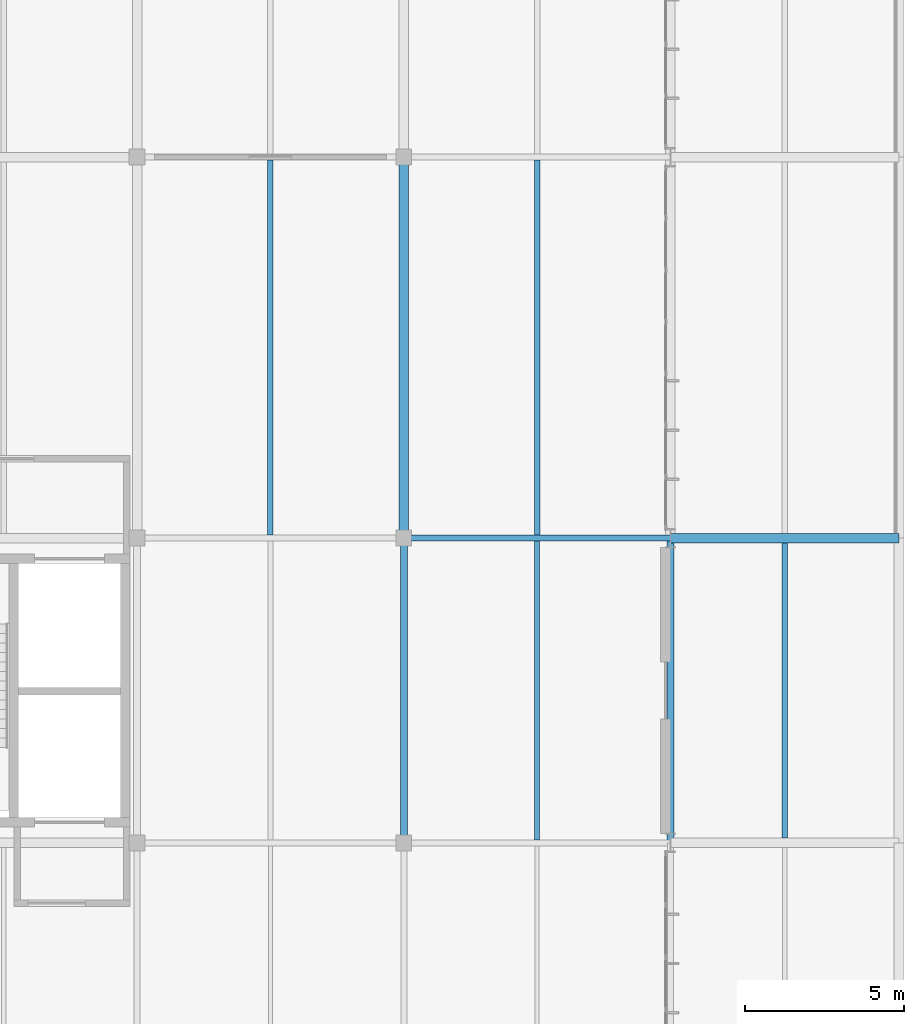
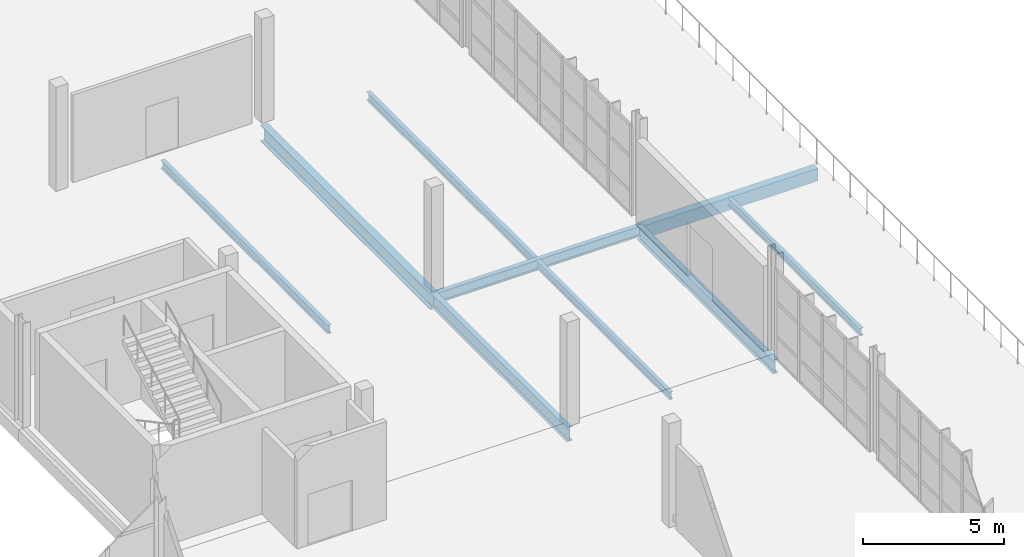
# One storey, part 75 of 109: 9 beams.
"""IFC4 building model written with IfcOpenShell, lengths in metres."""

from ifc_helpers import new_model, si_unit, direction, frame, origin, origin_2d, place, context, subcontext, project, spatial, rectangle, i_section, extrude, material, material_profile, profile_set, type_object, element, save


model = new_model("IFC4")

# Units and contexts
model_context = context("Model", 3, precision=1e-05, world=origin(), true_north=direction((0.0, 1.0)))
body_context = subcontext(model_context, "Body", "Model", "MODEL_VIEW")
ifc_project = project(units=[si_unit("LENGTHUNIT", "METRE"), si_unit("AREAUNIT", "SQUARE_METRE"), si_unit("VOLUMEUNIT", "CUBIC_METRE"), si_unit("PLANEANGLEUNIT", "RADIAN"), si_unit("MASSUNIT", "GRAM", prefix="KILO")], contexts=[model_context])

# Site, building, storey
site_placement = place(None, origin())
site = spatial("IfcSite", under=ifc_project, at=site_placement, CompositionType="ELEMENT")
building_placement = place(site_placement, origin())
building = spatial("IfcBuilding", under=site, at=building_placement, Name="Veltarok Museum of Natural Sciences", CompositionType="ELEMENT")
storey_placement = place(building_placement, frame((0.0, 0.0, 17.39990234375)))
storey = spatial("IfcBuildingStorey", under=building, at=storey_placement, Name="L03", CompositionType="ELEMENT", Elevation=17.39990234375)

# Beams
ifc_material_1 = material(Name="Precast concrete C40/50", Category="concrete")
ifc_material_profile_1 = material_profile(ifc_material_1, rectangle(XDim=0.300048828125, YDim=0.550048828125, at=origin_2d()), Name="RC 300x550")
ifc_profile_set_1 = profile_set([ifc_material_profile_1], Name="Precast concrete C40/50")
beam_type_1 = type_object("IfcBeamType", Name="East Wing Precast Spandrel RC 300x550", PredefinedType="SPANDREL", material=ifc_profile_set_1)
beam_1_placement = place(storey_placement, frame((157.60009765625, 36.0, -0.534912109375), z_axis=(1.0, 0.0, 0.0), x_axis=(0.0, 1.0, 0.0)))
element("IfcBeam", 1, at=beam_1_placement, inside=storey, type_object=beam_type_1, Name="Beam BM-SP02 L03 19-20/E", PredefinedType="SPANDREL", context=body_context, shape_type="SweptSolid", body=[
    extrude(rectangle(XDim=0.300048828125, YDim=0.550048828125, at=origin_2d()), origin(), (0.0, 0.0, 1.0), 7.199951171875),
])
ifc_material_2 = material(Name="Steel S355J2", Category="steel")
ifc_material_profile_2 = material_profile(ifc_material_2, i_section(OverallWidth=0.18994140625, OverallDepth=0.449951171875, WebThickness=0.009521484375, FlangeThickness=0.0146484375, FilletRadius=0.02099609375, at=origin_2d()), Name="IPE 450")
ifc_profile_set_2 = profile_set([ifc_material_profile_2], Name="Steel S355J2")
beam_type_2 = type_object("IfcBeamType", Name="Laboratory Floor Girder IPE 450", PredefinedType="BEAM", material=ifc_profile_set_2)
beam_2_placement = place(storey_placement, frame((149.199951171875, 36.0, -0.48486328125), z_axis=(1.0, 0.0, 0.0), x_axis=(0.0, 1.0, 0.0)))
element("IfcBeam", 2, at=beam_2_placement, inside=storey, type_object=beam_type_2, Name="Beam BM-G05 L03 18-19/E", PredefinedType="BEAM", context=body_context, shape_type="SweptSolid", body=[
    extrude(i_section(OverallWidth=0.18994140625, OverallDepth=0.449951171875, WebThickness=0.009521484375, FlangeThickness=0.0146484375, FilletRadius=0.02099609375, at=origin_2d()), origin(), (0.0, 0.0, 1.0), 8.400146484375),
])
ifc_material_profile_3 = material_profile(ifc_material_2, i_section(OverallWidth=0.169921875, OverallDepth=0.360107421875, WebThickness=0.008056640625, FlangeThickness=0.0126953125, FilletRadius=0.01806640625, at=origin_2d()), Name="IPE 360")
ifc_profile_set_3 = profile_set([ifc_material_profile_3], Name="Steel S355J2")
beam_type_3 = type_object("IfcBeamType", Name="Long-Bay Composite Joist IPE 360", PredefinedType="JOIST", material=ifc_profile_set_3)
for number, where, z_axis, x_axis, name in (
    (3, (145.0, 36.093017578125, -0.429931640625), (0.0, 1.0, 0.0), (-1.0, 0.0, 0.0), "Secondary Joist BM-J01 L03 17-18/E-F.1"),
    (4, (153.39990234375, 36.093017578125, -0.429931640625), (0.0, 1.0, 0.0), (-1.0, 0.0, 0.0), "Secondary Joist BM-J01 L03 18-19/E-F.1"),
):
    element("IfcBeam", number, at=place(storey_placement, frame(where, z_axis=z_axis, x_axis=x_axis)), inside=storey, type_object=beam_type_3, Name=name, PredefinedType="JOIST", context=body_context, shape_type="SweptSolid", body=[
        extrude(i_section(OverallWidth=0.169921875, OverallDepth=0.360107421875, WebThickness=0.008056640625, FlangeThickness=0.0126953125, FilletRadius=0.01806640625, at=origin_2d()), origin(), (0.0, 0.0, 1.0), 11.81396484375),
    ])
ifc_material_profile_4 = material_profile(ifc_material_2, i_section(OverallWidth=0.300048828125, OverallDepth=0.699951171875, WebThickness=0.01708984375, FlangeThickness=0.031982421875, FilletRadius=0.027099609375, at=origin_2d()), Name="HEB 700")
ifc_profile_set_4 = profile_set([ifc_material_profile_4], Name="Steel S355J2")
beam_type_4 = type_object("IfcBeamType", Name="Long-Span Hall Girder HEB 700", PredefinedType="BEAM", material=ifc_profile_set_4)
beam_3_placement = place(storey_placement, frame((149.199951171875, 36.0, -0.599853515625), z_axis=(0.0, 1.0, 0.0), x_axis=(-1.0, 0.0, 0.0)))
element("IfcBeam", 5, at=beam_3_placement, inside=storey, type_object=beam_type_4, Name="Beam BM-G01 L03 18/E-F", PredefinedType="BEAM", context=body_context, shape_type="SweptSolid", body=[
    extrude(i_section(OverallWidth=0.300048828125, OverallDepth=0.699951171875, WebThickness=0.01708984375, FlangeThickness=0.031982421875, FilletRadius=0.027099609375, at=origin_2d()), origin(), (0.0, 0.0, 1.0), 12.0),
])
ifc_material_profile_5 = material_profile(ifc_material_2, i_section(OverallWidth=0.159912109375, OverallDepth=0.330078125, WebThickness=0.007568359375, FlangeThickness=0.011474609375, FilletRadius=0.01806640625, at=origin_2d()), Name="IPE 330")
ifc_profile_set_5 = profile_set([ifc_material_profile_5], Name="Steel S355J2")
beam_type_5 = type_object("IfcBeamType", Name="Medium-Bay Composite Joist IPE 330", PredefinedType="JOIST", material=ifc_profile_set_5)
beam_4_placement = place(storey_placement, frame((153.39990234375, 26.492919921875, -0.414794921875), z_axis=(0.0, 1.0, 0.0), x_axis=(-1.0, 0.0, 0.0)))
element("IfcBeam", 6, at=beam_4_placement, inside=storey, type_object=beam_type_5, Name="Secondary Joist BM-J02 L03 18-19/D-E.1", PredefinedType="JOIST", context=body_context, shape_type="SweptSolid", body=[
    extrude(i_section(OverallWidth=0.159912109375, OverallDepth=0.330078125, WebThickness=0.007568359375, FlangeThickness=0.011474609375, FilletRadius=0.01806640625, at=origin_2d()), origin(), (0.0, 0.0, 1.0), 9.4140625),
])
beam_5_placement = place(storey_placement, frame((161.199951171875, 26.548095703125, -0.4248046875), z_axis=(0.0, 1.0, 0.0), x_axis=(-1.0, 0.0, 0.0)))
element("IfcBeam", 7, at=beam_5_placement, inside=storey, type_object=beam_type_5, Name="Secondary Joist BM-J02 L03 19-20/D-E.1", PredefinedType="JOIST", context=body_context, shape_type="SweptSolid", body=[
    extrude(i_section(OverallWidth=0.159912109375, OverallDepth=0.330078125, WebThickness=0.007568359375, FlangeThickness=0.011474609375, FilletRadius=0.01806640625, at=origin_2d()), origin(), (0.0, 0.0, 1.0), 9.303955078125),
])
ifc_material_profile_6 = material_profile(ifc_material_2, i_section(OverallWidth=0.219970703125, OverallDepth=0.60009765625, WebThickness=0.011962890625, FlangeThickness=0.01904296875, FilletRadius=0.02392578125, at=origin_2d()), Name="IPE 600")
ifc_profile_set_6 = profile_set([ifc_material_profile_6], Name="Steel S355J2")
beam_type_6 = type_object("IfcBeamType", Name="Primary Museum Girder IPE 600", PredefinedType="BEAM", material=ifc_profile_set_6)
for number, where, z_axis, x_axis, name in (
    (8, (149.199951171875, 26.39990234375, -0.5498046875), (0.0, 1.0, 0.0), (-1.0, 0.0, 0.0), "Beam BM-G02 L03 18/D-E"),
    (9, (157.60009765625, 26.39990234375, -0.559814453125), (0.0, 1.0, 0.0), (-1.0, 0.0, 0.0), "Beam BM-G02 L03 19/D-E"),
):
    element("IfcBeam", number, at=place(storey_placement, frame(where, z_axis=z_axis, x_axis=x_axis)), inside=storey, type_object=beam_type_6, Name=name, PredefinedType="BEAM", context=body_context, shape_type="SweptSolid", body=[
        extrude(i_section(OverallWidth=0.219970703125, OverallDepth=0.60009765625, WebThickness=0.011962890625, FlangeThickness=0.01904296875, FilletRadius=0.02392578125, at=origin_2d()), origin(), (0.0, 0.0, 1.0), 9.60009765625),
    ])

save(model, "model.ifc")
